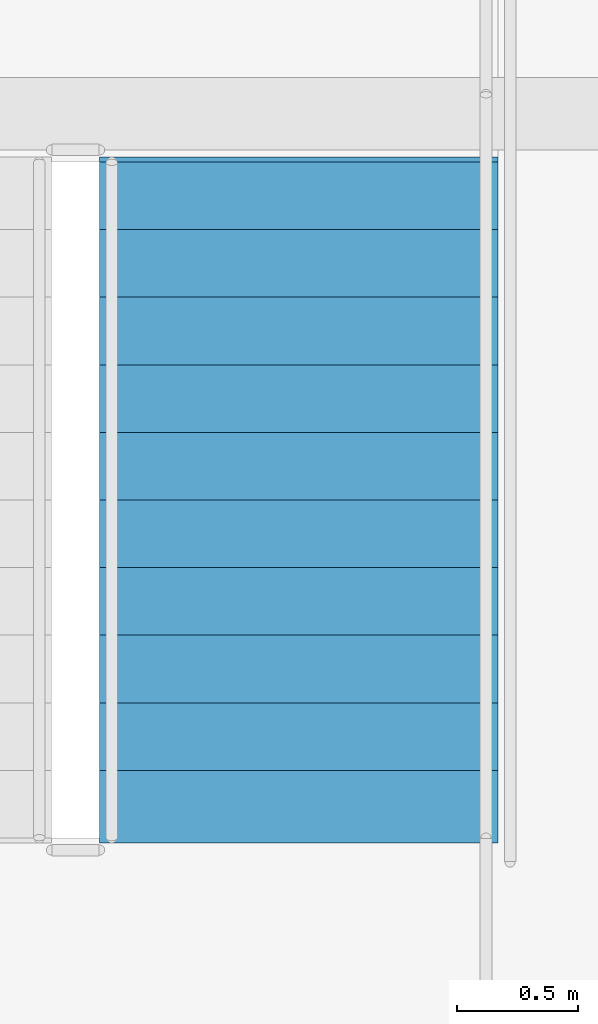
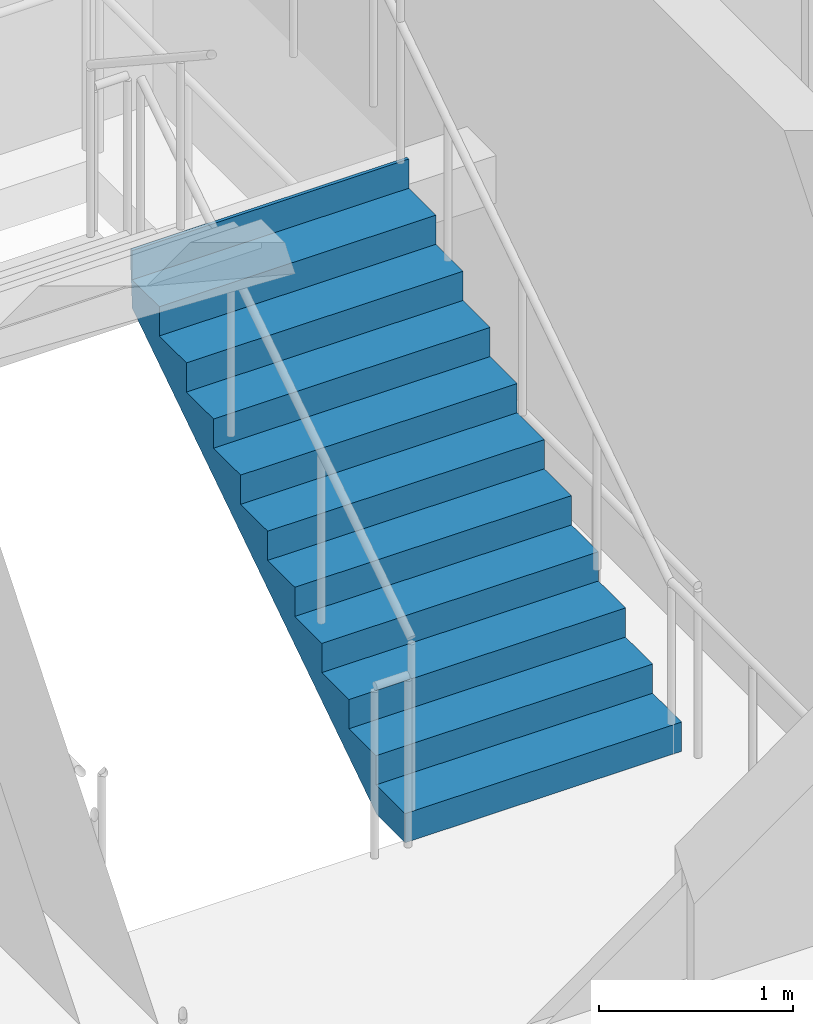
# One storey, part 37 of 42: 1 stair flight, 1 element without a shape of its own.
"""IFC4 building model written with IfcOpenShell, lengths in metres."""

from ifc_helpers import new_model, si_unit, direction, frame, origin, place, context, subcontext, project, spatial, polygons, material, type_object, element, aggregate, save


model = new_model("IFC4")

# Units and contexts
model_context = context("Model", 3, precision=1e-05, world=origin(), true_north=direction((0.0, 1.0)))
body_context = subcontext(model_context, "Body", "Model", "MODEL_VIEW")
ifc_project = project(units=[si_unit("LENGTHUNIT", "METRE"), si_unit("AREAUNIT", "SQUARE_METRE"), si_unit("VOLUMEUNIT", "CUBIC_METRE"), si_unit("PLANEANGLEUNIT", "RADIAN"), si_unit("MASSUNIT", "GRAM", prefix="KILO")], contexts=[model_context])

# Site, building, storey
site_placement = place(None, origin())
site = spatial("IfcSite", under=ifc_project, at=site_placement, CompositionType="ELEMENT")
building_placement = place(site_placement, origin())
building = spatial("IfcBuilding", under=site, at=building_placement, Name="Serunith Strait Residences", CompositionType="ELEMENT")
storey_placement = place(building_placement, frame((0.0, 0.0, 325.85009765625)))
storey = spatial("IfcBuildingStorey", under=building, at=storey_placement, Name="L81", CompositionType="ELEMENT", Elevation=325.85009765625)

# Stair, stair flight
ifc_material = material(Name="Concrete C50/60", Category="concrete")
stair_type = type_object("IfcStairType", Name="STR-CORE-1", PredefinedType="HALF_TURN_STAIR", material=ifc_material)
stair_placement = place(storey_placement, origin())
stair = element("IfcStair", 1, at=stair_placement, inside=storey, type_object=stair_type, Name="L81 Protected Escape Stair ST-1", PredefinedType="HALF_TURN_STAIR")
stair_flight_type = type_object("IfcStairFlightType", Name="FLT-CORE-1", PredefinedType="STRAIGHT", material=ifc_material)
stair_flight_placement = place(storey_placement, frame((26.324951171875, 27.030029296875, 0.0), z_axis=(0.0, 0.0, 1.0), x_axis=(0.0, 1.0, 0.0)))
stair_flight = element("IfcStairFlight", 2, at=stair_flight_placement, type_object=stair_flight_type, Name="ST-1 flight 1", NumberOfRisers=11, NumberOfTreads=10, PredefinedType="STRAIGHT", RiserHeight=0.184090909, TreadLength=0.28, context=body_context, shape_type="Tessellation", body=[
    polygons([(-0.02001953125, -0.824951171875, 0.0), (-0.02001953125, -0.824951171875, 0.18408203125), (0.280029296875, -0.824951171875, 0.18408203125), (0.280029296875, -0.824951171875, 0.3681640625), (0.56005859375, -0.824951171875, 0.3681640625), (0.56005859375, -0.824951171875, 0.55224609375), (0.840087890625, -0.824951171875, 0.55224609375), (0.840087890625, -0.824951171875, 0.736328125), (1.1201171875, -0.824951171875, 0.736328125), (1.1201171875, -0.824951171875, 0.92041015625), (1.39990234375, -0.824951171875, 0.92041015625), (1.39990234375, -0.824951171875, 1.1044921875), (1.679931640625, -0.824951171875, 1.1044921875), (1.679931640625, -0.824951171875, 1.28857421875), (1.9599609375, -0.824951171875, 1.28857421875), (1.9599609375, -0.824951171875, 1.47265625), (2.239990234375, -0.824951171875, 1.47265625), (2.239990234375, -0.824951171875, 1.65673828125), (2.52001953125, -0.824951171875, 1.65673828125), (2.52001953125, -0.824951171875, 1.8408203125), (2.800048828125, -0.824951171875, 1.8408203125), (2.800048828125, -0.824951171875, 2.02490234375), (2.820068359375, -0.824951171875, 2.02490234375), (2.820068359375, -0.824951171875, 1.965087890625), (2.800048828125, -0.824951171875, 1.66162109375), (0.27294921875, -0.824951171875, 0.0), (-0.02001953125, -0.41259765625, 0.0), (-0.02001953125, -0.41259765625, 0.18408203125), (0.280029296875, -0.41259765625, 0.18408203125), (0.280029296875, -0.41259765625, 0.3681640625), (0.56005859375, -0.41259765625, 0.3681640625), (0.56005859375, -0.41259765625, 0.55224609375), (0.840087890625, -0.41259765625, 0.55224609375), (0.840087890625, -0.41259765625, 0.736328125), (1.1201171875, -0.41259765625, 0.736328125), (1.1201171875, -0.41259765625, 0.92041015625), (1.39990234375, -0.41259765625, 0.92041015625), (1.39990234375, -0.41259765625, 1.1044921875), (1.679931640625, -0.41259765625, 1.1044921875), (1.679931640625, -0.41259765625, 1.28857421875), (1.9599609375, -0.41259765625, 1.28857421875), (1.9599609375, -0.41259765625, 1.47265625), (2.239990234375, -0.41259765625, 1.47265625), (2.239990234375, -0.41259765625, 1.65673828125), (2.52001953125, -0.41259765625, 1.65673828125), (2.52001953125, -0.41259765625, 1.8408203125), (2.800048828125, -0.41259765625, 1.8408203125), (2.800048828125, -0.41259765625, 2.02490234375), (2.820068359375, -0.41259765625, 2.02490234375), (2.820068359375, -0.41259765625, 1.965087890625), (2.800048828125, -0.41259765625, 1.66162109375), (0.27294921875, -0.41259765625, 0.0), (-0.02001953125, 0.0, 0.0), (-0.02001953125, 0.0, 0.18408203125), (0.280029296875, 0.0, 0.18408203125), (0.280029296875, 0.0, 0.3681640625), (0.56005859375, 0.0, 0.3681640625), (0.56005859375, 0.0, 0.55224609375), (0.840087890625, 0.0, 0.55224609375), (0.840087890625, 0.0, 0.736328125), (1.1201171875, 0.0, 0.736328125), (1.1201171875, 0.0, 0.92041015625), (1.39990234375, 0.0, 0.92041015625), (1.39990234375, 0.0, 1.1044921875), (1.679931640625, 0.0, 1.1044921875), (1.679931640625, 0.0, 1.28857421875), (1.9599609375, 0.0, 1.28857421875), (1.9599609375, 0.0, 1.47265625), (2.239990234375, 0.0, 1.47265625), (2.239990234375, 0.0, 1.65673828125), (2.52001953125, 0.0, 1.65673828125), (2.52001953125, 0.0, 1.8408203125), (2.800048828125, 0.0, 1.8408203125), (2.800048828125, 0.0, 2.02490234375), (2.820068359375, 0.0, 2.02490234375), (2.820068359375, 0.0, 1.965087890625), (2.800048828125, 0.0, 1.66162109375), (0.27294921875, 0.0, 0.0), (-0.02001953125, 0.41259765625, 0.0), (-0.02001953125, 0.41259765625, 0.18408203125), (0.280029296875, 0.41259765625, 0.18408203125), (0.280029296875, 0.41259765625, 0.3681640625), (0.56005859375, 0.41259765625, 0.3681640625), (0.56005859375, 0.41259765625, 0.55224609375), (0.840087890625, 0.41259765625, 0.55224609375), (0.840087890625, 0.41259765625, 0.736328125), (1.1201171875, 0.41259765625, 0.736328125), (1.1201171875, 0.41259765625, 0.92041015625), (1.39990234375, 0.41259765625, 0.92041015625), (1.39990234375, 0.41259765625, 1.1044921875), (1.679931640625, 0.41259765625, 1.1044921875), (1.679931640625, 0.41259765625, 1.28857421875), (1.9599609375, 0.41259765625, 1.28857421875), (1.9599609375, 0.41259765625, 1.47265625), (2.239990234375, 0.41259765625, 1.47265625), (2.239990234375, 0.41259765625, 1.65673828125), (2.52001953125, 0.41259765625, 1.65673828125), (2.52001953125, 0.41259765625, 1.8408203125), (2.800048828125, 0.41259765625, 1.8408203125), (2.800048828125, 0.41259765625, 2.02490234375), (2.820068359375, 0.41259765625, 2.02490234375), (2.820068359375, 0.41259765625, 1.965087890625), (2.800048828125, 0.41259765625, 1.66162109375), (0.27294921875, 0.41259765625, 0.0), (-0.02001953125, 0.824951171875, 0.0), (-0.02001953125, 0.824951171875, 0.18408203125), (0.280029296875, 0.824951171875, 0.18408203125), (0.280029296875, 0.824951171875, 0.3681640625), (0.56005859375, 0.824951171875, 0.3681640625), (0.56005859375, 0.824951171875, 0.55224609375), (0.840087890625, 0.824951171875, 0.55224609375), (0.840087890625, 0.824951171875, 0.736328125), (1.1201171875, 0.824951171875, 0.736328125), (1.1201171875, 0.824951171875, 0.92041015625), (1.39990234375, 0.824951171875, 0.92041015625), (1.39990234375, 0.824951171875, 1.1044921875), (1.679931640625, 0.824951171875, 1.1044921875), (1.679931640625, 0.824951171875, 1.28857421875), (1.9599609375, 0.824951171875, 1.28857421875), (1.9599609375, 0.824951171875, 1.47265625), (2.239990234375, 0.824951171875, 1.47265625), (2.239990234375, 0.824951171875, 1.65673828125), (2.52001953125, 0.824951171875, 1.65673828125), (2.52001953125, 0.824951171875, 1.8408203125), (2.800048828125, 0.824951171875, 1.8408203125), (2.800048828125, 0.824951171875, 2.02490234375), (2.820068359375, 0.824951171875, 2.02490234375), (2.820068359375, 0.824951171875, 1.965087890625), (2.800048828125, 0.824951171875, 1.66162109375), (0.27294921875, 0.824951171875, 0.0)], [[[1, 2, 28, 27]], [[2, 3, 29, 28]], [[3, 4, 30, 29]], [[4, 5, 31, 30]], [[5, 6, 32, 31]], [[6, 7, 33, 32]], [[7, 8, 34, 33]], [[8, 9, 35, 34]], [[9, 10, 36, 35]], [[10, 11, 37, 36]], [[11, 12, 38, 37]], [[12, 13, 39, 38]], [[13, 14, 40, 39]], [[14, 15, 41, 40]], [[15, 16, 42, 41]], [[16, 17, 43, 42]], [[17, 18, 44, 43]], [[18, 19, 45, 44]], [[19, 20, 46, 45]], [[20, 21, 47, 46]], [[21, 22, 48, 47]], [[22, 23, 49, 48]], [[23, 24, 50, 49]], [[24, 25, 51, 50]], [[25, 26, 52, 51]], [[26, 1, 27, 52]], [[27, 28, 54, 53]], [[28, 29, 55, 54]], [[29, 30, 56, 55]], [[30, 31, 57, 56]], [[31, 32, 58, 57]], [[32, 33, 59, 58]], [[33, 34, 60, 59]], [[34, 35, 61, 60]], [[35, 36, 62, 61]], [[36, 37, 63, 62]], [[37, 38, 64, 63]], [[38, 39, 65, 64]], [[39, 40, 66, 65]], [[40, 41, 67, 66]], [[41, 42, 68, 67]], [[42, 43, 69, 68]], [[43, 44, 70, 69]], [[44, 45, 71, 70]], [[45, 46, 72, 71]], [[46, 47, 73, 72]], [[47, 48, 74, 73]], [[48, 49, 75, 74]], [[49, 50, 76, 75]], [[50, 51, 77, 76]], [[51, 52, 78, 77]], [[52, 27, 53, 78]], [[53, 54, 80, 79]], [[54, 55, 81, 80]], [[55, 56, 82, 81]], [[56, 57, 83, 82]], [[57, 58, 84, 83]], [[58, 59, 85, 84]], [[59, 60, 86, 85]], [[60, 61, 87, 86]], [[61, 62, 88, 87]], [[62, 63, 89, 88]], [[63, 64, 90, 89]], [[64, 65, 91, 90]], [[65, 66, 92, 91]], [[66, 67, 93, 92]], [[67, 68, 94, 93]], [[68, 69, 95, 94]], [[69, 70, 96, 95]], [[70, 71, 97, 96]], [[71, 72, 98, 97]], [[72, 73, 99, 98]], [[73, 74, 100, 99]], [[74, 75, 101, 100]], [[75, 76, 102, 101]], [[76, 77, 103, 102]], [[77, 78, 104, 103]], [[78, 53, 79, 104]], [[79, 80, 106, 105]], [[80, 81, 107, 106]], [[81, 82, 108, 107]], [[82, 83, 109, 108]], [[83, 84, 110, 109]], [[84, 85, 111, 110]], [[85, 86, 112, 111]], [[86, 87, 113, 112]], [[87, 88, 114, 113]], [[88, 89, 115, 114]], [[89, 90, 116, 115]], [[90, 91, 117, 116]], [[91, 92, 118, 117]], [[92, 93, 119, 118]], [[93, 94, 120, 119]], [[94, 95, 121, 120]], [[95, 96, 122, 121]], [[96, 97, 123, 122]], [[97, 98, 124, 123]], [[98, 99, 125, 124]], [[99, 100, 126, 125]], [[100, 101, 127, 126]], [[101, 102, 128, 127]], [[102, 103, 129, 128]], [[103, 104, 130, 129]], [[104, 79, 105, 130]], [[26, 25, 24, 23, 22, 21, 20, 19, 18, 17, 16, 15, 14, 13, 12, 11, 10, 9, 8, 7, 6, 5, 4, 3, 2, 1]], [[105, 106, 107, 108, 109, 110, 111, 112, 113, 114, 115, 116, 117, 118, 119, 120, 121, 122, 123, 124, 125, 126, 127, 128, 129, 130]]], closed=True),
])
aggregate(stair, [stair_flight])

save(model, "model.ifc")
